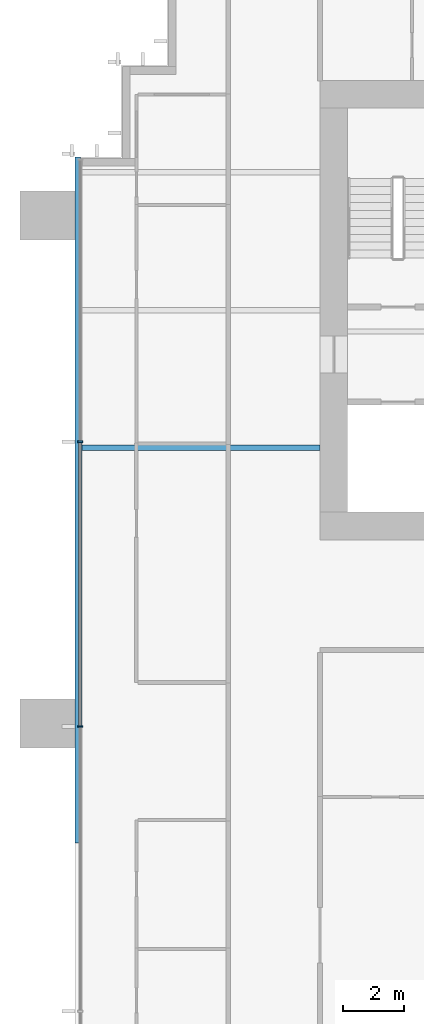
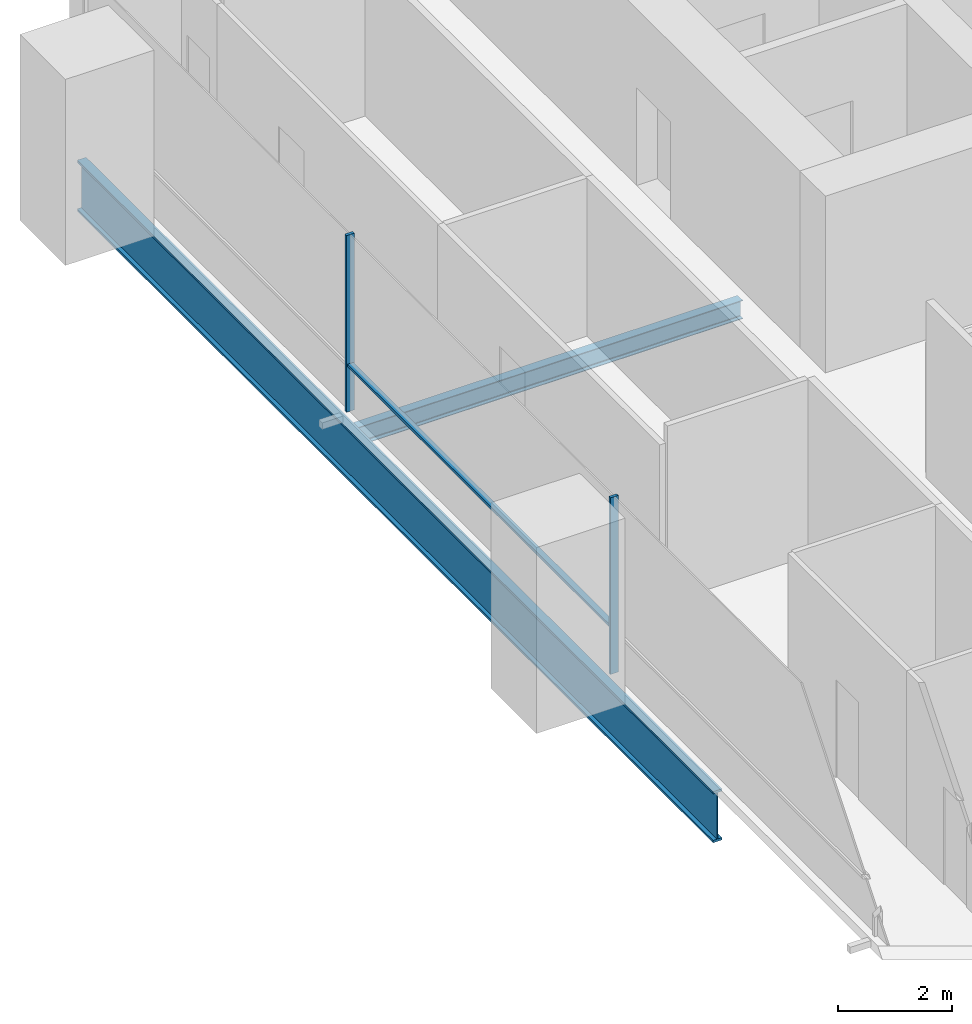
# One storey, part 4 of 17: 3 members, 2 beams, 1 element without a shape of its own.
"""IFC4 building model written with IfcOpenShell, lengths in metres."""

from ifc_helpers import new_model, si_unit, direction, frame, origin, origin_2d, place, context, subcontext, project, spatial, rectangle, i_section, extrude, material, material_profile, profile_set, type_object, element, aggregate, save


model = new_model("IFC4")

# Units and contexts
model_context = context("Model", 3, precision=1e-05, world=origin(), true_north=direction((0.0, 1.0)))
body_context = subcontext(model_context, "Body", "Model", "MODEL_VIEW")
ifc_project = project(units=[si_unit("LENGTHUNIT", "METRE"), si_unit("AREAUNIT", "SQUARE_METRE"), si_unit("VOLUMEUNIT", "CUBIC_METRE"), si_unit("PLANEANGLEUNIT", "RADIAN"), si_unit("MASSUNIT", "GRAM", prefix="KILO")], contexts=[model_context])

# Site, building, storey
site_placement = place(None, origin())
site = spatial("IfcSite", under=ifc_project, at=site_placement, CompositionType="ELEMENT")
building_placement = place(site_placement, origin())
building = spatial("IfcBuilding", under=site, at=building_placement, Name="Rattan Terrace Tower", CompositionType="ELEMENT")
storey_placement = place(building_placement, frame((0.0, 0.0, 107.699951171875)))
storey = spatial("IfcBuildingStorey", under=building, at=storey_placement, Name="L24", CompositionType="ELEMENT", Elevation=107.699951171875)

# Curtain wall, members
ifc_material_1 = material(Name="Aluminium and glass", Category="aluminium")
curtain_wall_type = type_object("IfcCurtainWallType", Name="Facade Unitised Curtain Wall", PredefinedType="NOTDEFINED", material=ifc_material_1)
curtain_wall_placement = place(storey_placement, origin())
curtain_wall = element("IfcCurtainWall", 1, at=curtain_wall_placement, inside=storey, type_object=curtain_wall_type, Name="Curtain wall L24-3", PredefinedType="NOTDEFINED")
ifc_material_2 = material(Name="Aluminium", Category="aluminium")
ifc_material_profile_1 = material_profile(ifc_material_2, rectangle(XDim=0.06005859375, YDim=0.159912109375, at=origin_2d()), Name="Aluminium 60x160")
ifc_profile_set_1 = profile_set([ifc_material_profile_1], Name="Aluminium")
member_type_1 = type_object("IfcMemberType", Name="Facade CW Mullion 60x160", PredefinedType="MULLION", material=ifc_profile_set_1)
member_1_placement = place(storey_placement, frame((-25.830078125, -4.300048828125, 0.0), z_axis=(0.0, 0.0, 1.0), x_axis=(0.0, -1.0, 0.0)))
member_1 = element("IfcMember", 2, at=member_1_placement, type_object=member_type_1, Name="Mullion cwl-L24-003.2", PredefinedType="MULLION", context=body_context, shape_type="SweptSolid", body=[
    extrude(rectangle(XDim=0.06005859375, YDim=0.159912109375, at=origin_2d()), origin(), (0.0, 0.0, 1.0), 3.800048828125),
])
member_2_placement = place(storey_placement, frame((-25.830078125, -13.60009765625, 0.0), z_axis=(0.0, 0.0, 1.0), x_axis=(0.0, -1.0, 0.0)))
member_2 = element("IfcMember", 3, at=member_2_placement, type_object=member_type_1, Name="Mullion cwl-L24-003.3", PredefinedType="MULLION", context=body_context, shape_type="SweptSolid", body=[
    extrude(rectangle(XDim=0.06005859375, YDim=0.159912109375, at=origin_2d()), origin(), (0.0, 0.0, 1.0), 3.800048828125),
])
ifc_material_3 = material(Name="Aluminium", Category="aluminium")
ifc_material_profile_2 = material_profile(ifc_material_3, rectangle(XDim=0.1201171875, YDim=0.06005859375, at=origin_2d()), Name="Aluminium 120x60")
ifc_profile_set_2 = profile_set([ifc_material_profile_2], Name="Aluminium")
member_type_2 = type_object("IfcMemberType", Name="Facade CW Transom 120x60", PredefinedType="USERDEFINED", material=ifc_profile_set_2)
member_3_placement = place(storey_placement, frame((-25.830078125, -4.330078125, 1.0), z_axis=(0.0, -1.0, 0.0), x_axis=(1.0, 0.0, 0.0)))
member_3 = element("IfcMember", 4, at=member_3_placement, type_object=member_type_2, Name="Transom cwl-L24-003.2", ObjectType="TRANSOM", PredefinedType="USERDEFINED", context=body_context, shape_type="SweptSolid", body=[
    extrude(rectangle(XDim=0.1201171875, YDim=0.06005859375, at=origin_2d()), origin(), (0.0, 0.0, 1.0), 9.239990234375),
])
aggregate(curtain_wall, [member_1, member_2, member_3])

# Beams
ifc_material_4 = material(Name="Steel S460", Category="steel")
ifc_material_profile_3 = material_profile(ifc_material_4, i_section(OverallWidth=0.179931640625, OverallDepth=1.10009765625, WebThickness=0.01611328125, FlangeThickness=0.050048828125, at=origin_2d()), Name="PG 1100x180-16-50")
ifc_profile_set_3 = profile_set([ifc_material_profile_3], Name="Steel S460")
beam_type_1 = type_object("IfcBeamType", Name="Frame edge girder PG 1100x180-16-50", PredefinedType="SPANDREL", material=ifc_profile_set_3)
beam_1_placement = place(storey_placement, frame((-25.909912109375, -17.39990234375, -0.75), z_axis=(0.0, 1.0, 0.0), x_axis=(-1.0, 0.0, 0.0)))
element("IfcBeam", 5, at=beam_1_placement, inside=storey, type_object=beam_type_1, Name="gdr-L24-004", PredefinedType="SPANDREL", context=body_context, shape_type="SweptSolid", body=[
    extrude(i_section(OverallWidth=0.179931640625, OverallDepth=1.10009765625, WebThickness=0.01611328125, FlangeThickness=0.050048828125, at=origin_2d()), origin(), (0.0, 0.0, 1.0), 22.39990234375),
])
ifc_material_5 = material(Name="Steel S355", Category="steel")
ifc_material_profile_4 = material_profile(ifc_material_5, i_section(OverallWidth=0.179931640625, OverallDepth=0.39990234375, WebThickness=0.008544921875, FlangeThickness=0.013427734375, FilletRadius=0.02099609375, at=origin_2d()), Name="IPE 400")
ifc_profile_set_4 = profile_set([ifc_material_profile_4], Name="Steel S355")
beam_type_2 = type_object("IfcBeamType", Name="Frame floor beam IPE 400", PredefinedType="JOIST", material=ifc_profile_set_4)
beam_2_placement = place(storey_placement, frame((-25.820068359375, -4.5, -0.39990234375), z_axis=(1.0, 0.0, 0.0), x_axis=(0.0, 1.0, 0.0)))
element("IfcBeam", 6, at=beam_2_placement, inside=storey, type_object=beam_type_2, Name="bm-L24-012", PredefinedType="JOIST", context=body_context, shape_type="SweptSolid", body=[
    extrude(i_section(OverallWidth=0.179931640625, OverallDepth=0.39990234375, WebThickness=0.008544921875, FlangeThickness=0.013427734375, FilletRadius=0.02099609375, at=origin_2d()), origin(), (0.0, 0.0, 1.0), 7.820068359375),
])

save(model, "model.ifc")
